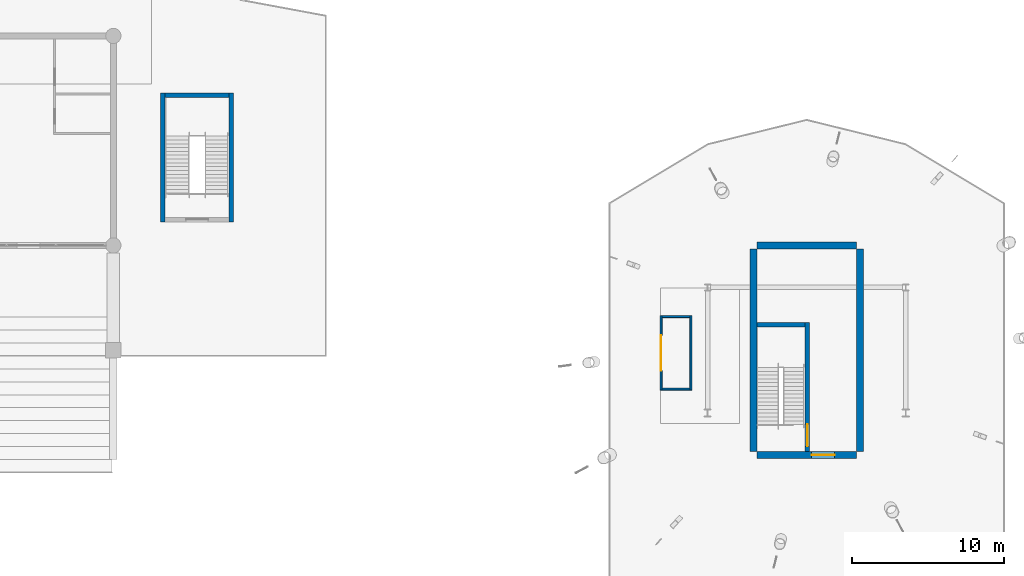
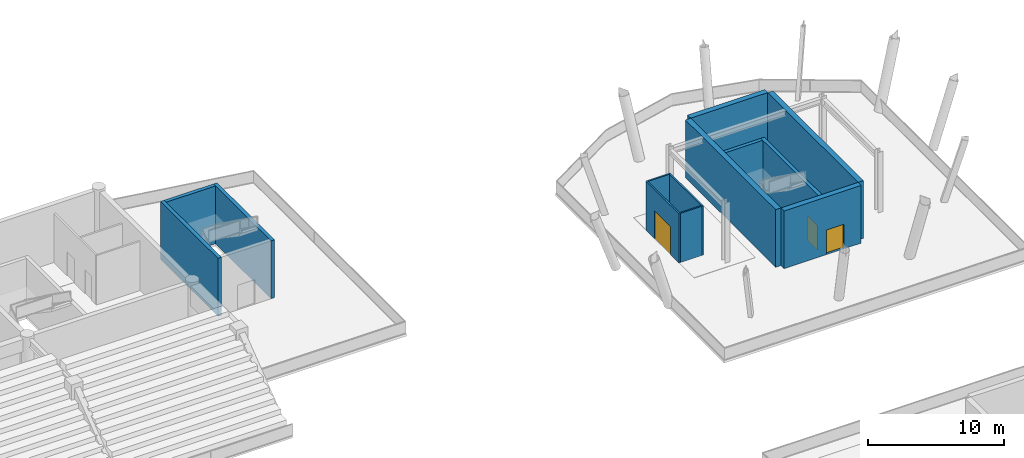
# One storey, part 99 of 117: 13 walls, 3 doors, 3 openings.
"""IFC4 building model written with IfcOpenShell, lengths in metres."""

import ifcopenshell
import ifcopenshell.guid

model = None  # the IFC model being written
_history = None  # IfcOwnerHistory: only IFC2X3 demands one
_inside = {}  # id of a spatial element -> (the spatial element, [elements in it])
_under = {}  # id of a project, library or spatial element -> (it, [spatial elements below it])
_declared = {}  # id of a project -> (the project, [libraries it declares])
_typed = {}  # id of a type object -> (the type object, [elements of that type])
_made_of = {}  # id of a material, layer set ... -> (it, [elements and type objects made of it])


def new_model(schema):
    """Start an empty IFC model of exactly this schema.

    Asked for "IFC4X3", IfcOpenShell would pick the latest addendum, in which some entities
    have other attributes; the version numbers below select the first issue.
    IFC2X3 requires an IfcOwnerHistory on every rooted entity: one is made here for all.
    """
    global model, _history
    if schema == "IFC4X3":
        model = ifcopenshell.file(schema_version=(4, 3, 0, 0))
    else:
        model = ifcopenshell.file(schema=schema)
    _inside.clear()
    _under.clear()
    _declared.clear()
    _typed.clear()
    _made_of.clear()
    _history = None
    if model.schema == "IFC2X3":
        org = make("IfcOrganization", Name="unknown")
        user = make(
            "IfcPersonAndOrganization",
            ThePerson=make("IfcPerson", FamilyName="unknown"),
            TheOrganization=org,
        )
        app = make(
            "IfcApplication",
            ApplicationDeveloper=org,
            Version="unknown",
            ApplicationFullName="unknown",
            ApplicationIdentifier="unknown",
        )
        _history = make(
            "IfcOwnerHistory",
            OwningUser=user,
            OwningApplication=app,
            ChangeAction="ADDED",
            CreationDate=0,
        )
    return model


def make(cls, **values):
    """One entity of the class cls with the attributes given. An attribute that is None is left unset."""
    return model.create_entity(
        cls, **{name: value for name, value in values.items() if value is not None}
    )


def rooted(cls, **values):
    """An entity with a GlobalId (a new one), such as an element, a storey or a relation."""
    return make(cls, GlobalId=ifcopenshell.guid.new(), OwnerHistory=_history, **values)


def si_unit(unit_type, name, prefix=None):
    """IfcSIUnit, for example si_unit("LENGTHUNIT", "METRE", prefix="MILLI")."""
    return make("IfcSIUnit", UnitType=unit_type, Prefix=prefix, Name=name)


def assignment(units):
    """IfcUnitAssignment: the units of a project."""
    return None if units is None else make("IfcUnitAssignment", Units=units)


def point(xyz):
    """IfcCartesianPoint."""
    return None if xyz is None else make("IfcCartesianPoint", Coordinates=xyz)


def direction(xyz):
    """IfcDirection."""
    return None if xyz is None else make("IfcDirection", DirectionRatios=xyz)


def frame(location, z_axis=None, x_axis=None):
    """IfcAxis2Placement3D, a coordinate frame: its origin and axes. An axis left out is left unset."""
    return make(
        "IfcAxis2Placement3D",
        Location=point(location),
        Axis=direction(z_axis),
        RefDirection=direction(x_axis),
    )


def frame_2d(location, x_axis=None):
    """IfcAxis2Placement2D, a coordinate frame in the plane: its origin and x axis."""
    return make(
        "IfcAxis2Placement2D", Location=point(location), RefDirection=direction(x_axis)
    )


def origin():
    """The frame at (0, 0, 0) with its axes left unset."""
    return frame((0.0, 0.0, 0.0))


def place(relative_to, where):
    """IfcLocalPlacement: puts the frame where relative to a parent placement (None: the world)."""
    return make(
        "IfcLocalPlacement", PlacementRelTo=relative_to, RelativePlacement=where
    )


def context(
    kind, dimensions, precision=None, world=None, true_north=None, identifier=None
):
    """IfcGeometricRepresentationContext, for example the 3D "Model" context."""
    return make(
        "IfcGeometricRepresentationContext",
        ContextIdentifier=identifier,
        ContextType=kind,
        CoordinateSpaceDimension=dimensions,
        Precision=precision,
        WorldCoordinateSystem=world,
        TrueNorth=true_north,
    )


def subcontext(parent, identifier, kind, view, scale=None):
    """IfcGeometricRepresentationSubContext, for example "Body" below "Model"."""
    return make(
        "IfcGeometricRepresentationSubContext",
        ContextIdentifier=identifier,
        ContextType=kind,
        ParentContext=parent,
        TargetScale=scale,
        TargetView=view,
    )


def project(units=None, contexts=None):
    """IfcProject with its units and contexts."""
    return rooted(
        "IfcProject",
        Name="project",
        RepresentationContexts=contexts,
        UnitsInContext=assignment(units),
    )


def spatial(cls, under=None, at=None, **own):
    """A site, building, storey or space (cls), placed at a placement, below another one or the project."""
    s = rooted(cls, ObjectPlacement=at, **own)
    if under is not None:
        _under.setdefault(under.id(), (under, []))[1].append(s)
    return s


def profile(cls, at=None, kind="AREA", **sizes):
    """A parametric profile (cls). Its sizes go by their IFC names, for example OverallWidth=200.0."""
    return make(cls, ProfileType=kind, Position=at, **sizes)


def rectangle(**sizes):
    """IfcRectangleProfileDef."""
    return profile("IfcRectangleProfileDef", **sizes)


def extrude(swept, where, along, depth):
    """IfcExtrudedAreaSolid: the profile swept, set in the frame where, extruded along a direction by depth."""
    return make(
        "IfcExtrudedAreaSolid",
        SweptArea=swept,
        Position=where,
        ExtrudedDirection=direction(along),
        Depth=depth,
    )


def shape(context_of_items, identifier, shape_type, items):
    """IfcShapeRepresentation: the items that make up one representation, for example the "Body"."""
    return make(
        "IfcShapeRepresentation",
        ContextOfItems=context_of_items,
        RepresentationIdentifier=identifier,
        RepresentationType=shape_type,
        Items=items,
    )


def material(Name=None, Category=None):
    """IfcMaterial."""
    return make("IfcMaterial", Name=Name, Category=Category)


def layer(
    of_material, thickness, ventilated=None, Name=None, Category=None, Priority=None
):
    """IfcMaterialLayer: one layer of a wall or slab, of a material (None: an air gap)."""
    return make(
        "IfcMaterialLayer",
        Material=of_material,
        LayerThickness=thickness,
        IsVentilated=ventilated,
        Name=Name,
        Category=Category,
        Priority=Priority,
    )


def layer_set(layers, Name=None):
    """IfcMaterialLayerSet."""
    return make("IfcMaterialLayerSet", MaterialLayers=layers, LayerSetName=Name)


def made_of(thing, what):
    """Note that an element or type object is made of a material, layer set ...; save() writes the relation."""
    if what is not None:
        _made_of.setdefault(what.id(), (what, []))[1].append(thing)
    return thing


def type_object(cls, material=None, **own):
    """A type object (cls), such as IfcWallType, which elements share."""
    return made_of(rooted(cls, **own), material)


def element(
    cls,
    number,
    at=None,
    inside=None,
    cuts=None,
    type_object=None,
    material=None,
    context=None,
    identifier="Body",
    shape_type=None,
    held_by="IfcProductDefinitionShape",
    body=None,
    shapes=None,
    **own,
):
    """One element of the class cls, such as IfcWall. Its Tag is "e" and its number.

    at: its placement. inside: the storey or other place that contains it. cuts: it is an
    opening in that element (IfcRelVoidsElement). A single representation is given by context,
    identifier, shape_type and body (its items); several are given by shapes. held_by: the class
    of the entity that holds the representations. save() writes the other relations.
    """
    e = rooted(cls, Tag="e%d" % number, ObjectPlacement=at, **own)
    if body is not None:
        shapes = [shape(context, identifier, shape_type, body)]
    if shapes is not None:
        e.Representation = make(held_by, Representations=shapes)
    if inside is not None:
        _inside.setdefault(inside.id(), (inside, []))[1].append(e)
    if cuts is not None:
        rooted(
            "IfcRelVoidsElement", RelatingBuildingElement=cuts, RelatedOpeningElement=e
        )
    if type_object is not None:
        _typed.setdefault(type_object.id(), (type_object, []))[1].append(e)
    return made_of(e, material)


def fill(opening, filler):
    """IfcRelFillsElement: the door or window that sits in an opening."""
    return rooted(
        "IfcRelFillsElement",
        RelatingOpeningElement=opening,
        RelatedBuildingElement=filler,
    )


def aggregate(whole, parts):
    """IfcRelAggregates: a whole, such as a stair, and the parts it consists of."""
    return rooted("IfcRelAggregates", RelatingObject=whole, RelatedObjects=parts)


def save(model, path):
    """Write the relations noted so far, then the file.

    IfcRelAggregates (storeys below a building ...), IfcRelContainedInSpatialStructure (elements
    in a storey), IfcRelDefinesByType, IfcRelAssociatesMaterial and IfcRelDeclares: one each for
    every whole, place, type object, material and project.
    """
    for whole, parts in _under.values():
        aggregate(whole, parts)
    for where, things in _inside.values():
        rooted(
            "IfcRelContainedInSpatialStructure",
            RelatedElements=things,
            RelatingStructure=where,
        )
    for kind, things in _typed.values():
        rooted("IfcRelDefinesByType", RelatedObjects=things, RelatingType=kind)
    for what, things in _made_of.values():
        rooted("IfcRelAssociatesMaterial", RelatedObjects=things, RelatingMaterial=what)
    for by, libraries in _declared.values():
        rooted("IfcRelDeclares", RelatingContext=by, RelatedDefinitions=libraries)
    model.write(path)


model = new_model("IFC4")

# Units and contexts
model_context = context("Model", 3, precision=1e-05, world=origin(), true_north=direction((0.0, 1.0)))
body_context = subcontext(model_context, "Body", "Model", "MODEL_VIEW")
ifc_project = project(units=[si_unit("LENGTHUNIT", "METRE"), si_unit("AREAUNIT", "SQUARE_METRE"), si_unit("VOLUMEUNIT", "CUBIC_METRE"), si_unit("PLANEANGLEUNIT", "RADIAN"), si_unit("MASSUNIT", "GRAM", prefix="KILO")], contexts=[model_context])

# Site, building, storey
site_placement = place(None, origin())
site = spatial("IfcSite", under=ifc_project, at=site_placement, CompositionType="ELEMENT")
building_placement = place(site_placement, origin())
building = spatial("IfcBuilding", under=site, at=building_placement, Name="Linyun Crest Stadium", CompositionType="ELEMENT")
storey_placement = place(building_placement, frame((0.0, 0.0, 6.0)))
storey = spatial("IfcBuildingStorey", under=building, at=storey_placement, Name="L02", CompositionType="ELEMENT", Elevation=6.0)

# Walls
ifc_material_1 = material(Name="Concrete C50", Category="concrete")
ifc_layer_1 = layer(ifc_material_1, 0.449951171875)
ifc_layer_set_1 = layer_set([ifc_layer_1], Name="Concrete C50")
wall_type_1 = type_object("IfcWallType", Name="CW03", PredefinedType="SHEAR", material=ifc_layer_set_1)
for number, where, z_axis, x_axis, name in (
    (1, (70.0, 77.97509765625, 0.0), (0.0, 0.0, 1.0), (0.0, 1.0, 0.0), "Core shear wall CW03 CORE-PNE L02.1"),
    (2, (77.0, 77.97509765625, 0.0), (0.0, 0.0, 1.0), (0.0, 1.0, 0.0), "Core shear wall CW03 CORE-PNE L02.2"),
):
    element("IfcWall", number, at=place(storey_placement, frame(where, z_axis=z_axis, x_axis=x_axis)), inside=storey, type_object=wall_type_1, Name=name, PredefinedType="SHEAR", context=body_context, shape_type="SweptSolid", body=[
        extrude(rectangle(XDim=13.2998046875, YDim=0.449951171875, at=frame_2d((6.64990234375, 0.0))), origin(), (0.0, 0.0, 1.0), 5.179931640625),
    ])

# Wall, opening, door
wall_1_placement = place(storey_placement, frame((70.22509765625, 77.75, 0.0), z_axis=(0.0, 0.0, 1.0), x_axis=(1.0, 0.0, 0.0)))
wall_1 = element("IfcWall", 3, at=wall_1_placement, inside=storey, type_object=wall_type_1, Name="Core shear wall CW03 CORE-PNE L02.3", PredefinedType="SHEAR", context=body_context, shape_type="SweptSolid", body=[
    extrude(rectangle(XDim=6.5498046875, YDim=0.449951171875, at=frame_2d((3.27490234375, 0.0))), origin(), (0.0, 0.0, 1.0), 5.179931640625),
])
opening_1_placement = place(wall_1_placement, frame((3.60302734375, 0.0, 0.0)))
opening_1 = element("IfcOpeningElement", 4, at=opening_1_placement, cuts=wall_1, Name="Opening D-L02-391", PredefinedType="OPENING", context=body_context, shape_type="SweptSolid", body=[
    extrude(rectangle(XDim=1.5, YDim=2.199951171875, at=frame_2d((0.75, 1.10009765625))), frame((0.0, 0.23486328125, 0.0), z_axis=(0.0, -1.0, 0.0), x_axis=(1.0, 0.0, 0.0)), (0.0, 0.0, 1.0), 0.469970703125),
])
ifc_material_2 = material(Name="Galvanized steel Class A fire door", Category="steel")
ifc_layer_2 = layer(ifc_material_2, 0.054931640625)
ifc_layer_set_2 = layer_set([ifc_layer_2], Name="Galvanized steel Class A fire door")
door_type_1 = type_object("IfcDoorType", Name="FD01", OperationType="NOTDEFINED", PredefinedType="DOOR", material=ifc_layer_set_2)
door_1_placement = place(opening_1_placement, origin())
door_1 = element("IfcDoor", 5, at=door_1_placement, inside=storey, type_object=door_type_1, Name="Door D-L02-391", OperationType="SINGLE_SWING_LEFT", OverallHeight=2.199951171875, OverallWidth=1.5, PredefinedType="DOOR", context=body_context, shape_type="SweptSolid", body=[
    extrude(rectangle(XDim=1.5, YDim=2.199951171875, at=frame_2d((0.75, 1.10009765625))), frame((0.0, 0.02490234375, 0.0), z_axis=(0.0, -1.0, 0.0), x_axis=(1.0, 0.0, 0.0)), (0.0, 0.0, 1.0), 0.050048828125),
])
fill(opening_1, door_1)

# Wall
wall_2_placement = place(storey_placement, frame((70.22509765625, 91.5, 0.0), z_axis=(0.0, 0.0, 1.0), x_axis=(1.0, 0.0, 0.0)))
element("IfcWall", 6, at=wall_2_placement, inside=storey, type_object=wall_type_1, Name="Core shear wall CW03 CORE-PNE L02.4", PredefinedType="SHEAR", context=body_context, shape_type="SweptSolid", body=[
    extrude(rectangle(XDim=6.5498046875, YDim=0.449951171875, at=frame_2d((3.27490234375, 0.0))), origin(), (0.0, 0.0, 1.0), 5.179931640625),
])

# Wall, opening, door
ifc_material_3 = material(Name="Acoustic commentary booth partition")
ifc_layer_3 = layer(ifc_material_3, 0.1298828125)
ifc_layer_set_3 = layer_set([ifc_layer_3], Name="Acoustic commentary booth partition")
wall_type_2 = type_object("IfcWallType", Name="PW22", PredefinedType="PARTITIONING", material=ifc_layer_set_3)
wall_3_placement = place(storey_placement, frame((63.947021484375, 82.0009765625, 0.0), z_axis=(0.0, 0.0, 1.0), x_axis=(0.0, 1.0, 0.0)))
wall_3 = element("IfcWall", 7, at=wall_3_placement, inside=storey, type_object=wall_type_2, Name="Partition PW22 L02 270", PredefinedType="PARTITIONING", context=body_context, shape_type="SweptSolid", body=[
    extrude(rectangle(XDim=4.89013671875, YDim=0.1298828125, at=frame_2d((2.445068359375, 0.0))), origin(), (0.0, 0.0, 1.0), 4.419921875),
])
opening_2_placement = place(wall_3_placement, frame((1.27001953125, 0.0, 0.0)))
opening_2 = element("IfcOpeningElement", 8, at=opening_2_placement, cuts=wall_3, Name="Opening D-L02-533", PredefinedType="OPENING", context=body_context, shape_type="SweptSolid", body=[
    extrude(rectangle(XDim=2.35009765625, YDim=2.5, at=frame_2d((1.175048828125, 1.25))), frame((0.0, 0.074951171875, 0.0), z_axis=(0.0, -1.0, 0.0), x_axis=(1.0, 0.0, 0.0)), (0.0, 0.0, 1.0), 0.14990234375),
])
ifc_material_4 = material(Name="Wide impact-resistant double leaf")
ifc_layer_4 = layer(ifc_material_4, 0.054931640625)
ifc_layer_set_4 = layer_set([ifc_layer_4], Name="Wide impact-resistant double leaf")
door_type_2 = type_object("IfcDoorType", Name="ID14", OperationType="NOTDEFINED", PredefinedType="DOOR", material=ifc_layer_set_4)
door_2_placement = place(opening_2_placement, origin())
door_2 = element("IfcDoor", 9, at=door_2_placement, inside=storey, type_object=door_type_2, Name="Door D-L02-533", OperationType="DOUBLE_DOOR_SINGLE_SWING", OverallHeight=2.5, OverallWidth=2.35009765625, PredefinedType="DOOR", context=body_context, shape_type="SweptSolid", body=[
    extrude(rectangle(XDim=2.35009765625, YDim=2.5, at=frame_2d((1.175048828125, 1.25))), frame((0.0, 0.02490234375, 0.0), z_axis=(0.0, -1.0, 0.0), x_axis=(1.0, 0.0, 0.0)), (0.0, 0.0, 1.0), 0.050048828125),
])
fill(opening_2, door_2)

# Walls
wall_4_placement = place(storey_placement, frame((65.89697265625, 82.0009765625, 0.0), z_axis=(0.0, 0.0, 1.0), x_axis=(0.0, 1.0, 0.0)))
element("IfcWall", 10, at=wall_4_placement, inside=storey, type_object=wall_type_2, Name="Enclosure partition PW22 L02 526", PredefinedType="PARTITIONING", context=body_context, shape_type="SweptSolid", body=[
    extrude(rectangle(XDim=4.89013671875, YDim=0.1298828125, at=frame_2d((2.445068359375, 0.0))), origin(), (0.0, 0.0, 1.0), 4.419921875),
])
for number, where, z_axis, x_axis, name in (
    (11, (64.011962890625, 82.06591796875, 0.0), (0.0, 0.0, 1.0), (1.0, 0.0, 0.0), "Enclosure partition PW22 L02 527"),
    (12, (64.011962890625, 86.825927734375, 0.0), (0.0, 0.0, 1.0), (1.0, 0.0, 0.0), "Enclosure partition PW22 L02 528"),
):
    element("IfcWall", number, at=place(storey_placement, frame(where, z_axis=z_axis, x_axis=x_axis)), inside=storey, type_object=wall_type_2, Name=name, PredefinedType="PARTITIONING", context=body_context, shape_type="SweptSolid", body=[
        extrude(rectangle(XDim=1.820068359375, YDim=0.1298828125, at=frame_2d((0.91015625, 0.0))), origin(), (0.0, 0.0, 1.0), 4.419921875),
    ])

# Wall, opening, door
ifc_material_5 = material(Name="Concrete C50", Category="concrete")
ifc_layer_5 = layer(ifc_material_5, 0.300048828125)
ifc_layer_set_5 = layer_set([ifc_layer_5], Name="Concrete C50")
wall_type_3 = type_object("IfcWallType", Name="SW01", PredefinedType="SHEAR", material=ifc_layer_set_5)
wall_5_placement = place(storey_placement, frame((73.550048828125, 77.97509765625, 0.0), z_axis=(0.0, 0.0, 1.0), x_axis=(0.0, 1.0, 0.0)))
wall_5 = element("IfcWall", 13, at=wall_5_placement, inside=storey, type_object=wall_type_3, Name="Core stair east bearing wall SW01 12 L02", PredefinedType="SHEAR", context=body_context, shape_type="SweptSolid", body=[
    extrude(rectangle(XDim=8.474853515625, YDim=0.300048828125, at=frame_2d((4.2373046875, 0.0))), origin(), (0.0, 0.0, 1.0), 5.179931640625),
])
opening_3_placement = place(wall_5_placement, frame((0.344970703125, 0.0, 0.0)))
opening_3 = element("IfcOpeningElement", 14, at=opening_3_placement, cuts=wall_5, Name="Opening D-L02-392", PredefinedType="OPENING", context=body_context, shape_type="SweptSolid", body=[
    extrude(rectangle(XDim=1.449951171875, YDim=2.199951171875, at=frame_2d((0.72509765625, 1.10009765625))), frame((0.0, 0.159912109375, 0.0), z_axis=(0.0, -1.0, 0.0), x_axis=(1.0, 0.0, 0.0)), (0.0, 0.0, 1.0), 0.320068359375),
])
ifc_material_6 = material(Name="Galvanized steel Class A fire door", Category="steel")
ifc_layer_6 = layer(ifc_material_6, 0.054931640625)
ifc_layer_set_6 = layer_set([ifc_layer_6], Name="Galvanized steel Class A fire door")
door_type_3 = type_object("IfcDoorType", Name="FD02", OperationType="NOTDEFINED", PredefinedType="DOOR", material=ifc_layer_set_6)
door_3_placement = place(opening_3_placement, origin())
door_3 = element("IfcDoor", 15, at=door_3_placement, inside=storey, type_object=door_type_3, Name="Door D-L02-392", OperationType="SINGLE_SWING_RIGHT", OverallHeight=2.199951171875, OverallWidth=1.449951171875, PredefinedType="DOOR", context=body_context, shape_type="SweptSolid", body=[
    extrude(rectangle(XDim=1.449951171875, YDim=2.199951171875, at=frame_2d((0.72509765625, 1.10009765625))), frame((0.0, 0.02490234375, 0.0), z_axis=(0.0, -1.0, 0.0), x_axis=(1.0, 0.0, 0.0)), (0.0, 0.0, 1.0), 0.050048828125),
])
fill(opening_3, door_3)

# Walls
wall_6_placement = place(storey_placement, frame((70.22509765625, 86.300048828125, 0.0), z_axis=(0.0, 0.0, 1.0), x_axis=(1.0, 0.0, 0.0)))
element("IfcWall", 16, at=wall_6_placement, inside=storey, type_object=wall_type_3, Name="Core stair bearing wall SW01 12 L02", PredefinedType="SHEAR", context=body_context, shape_type="SweptSolid", body=[
    extrude(rectangle(XDim=3.1748046875, YDim=0.300048828125, at=frame_2d((1.58740234375, 0.0))), origin(), (0.0, 0.0, 1.0), 5.179931640625),
])
wall_7_placement = place(storey_placement, frame((31.39990234375, 101.35009765625, 0.0), z_axis=(0.0, 0.0, 1.0), x_axis=(1.0, 0.0, 0.0)))
element("IfcWall", 17, at=wall_7_placement, inside=storey, type_object=wall_type_3, Name="Stair shaft wall SW01 STR-26 L02 N", PredefinedType="SHEAR", context=body_context, shape_type="SweptSolid", body=[
    extrude(rectangle(XDim=4.2001953125, YDim=0.300048828125, at=frame_2d((2.10009765625, 0.0))), origin(), (0.0, 0.0, 1.0), 5.199951171875),
])
for number, where, z_axis, x_axis, name in (
    (18, (31.25, 93.050048828125, 0.0), (0.0, 0.0, 1.0), (0.0, 1.0, 0.0), "Stair shaft wall SW01 STR-26 L02 W"),
    (19, (35.75, 93.050048828125, 0.0), (0.0, 0.0, 1.0), (0.0, 1.0, 0.0), "Stair shaft wall SW01 STR-26 L02 E"),
):
    element("IfcWall", number, at=place(storey_placement, frame(where, z_axis=z_axis, x_axis=x_axis)), inside=storey, type_object=wall_type_3, Name=name, PredefinedType="SHEAR", context=body_context, shape_type="SweptSolid", body=[
        extrude(rectangle(XDim=8.449951171875, YDim=0.300048828125, at=frame_2d((4.22509765625, 0.0))), origin(), (0.0, 0.0, 1.0), 5.199951171875),
    ])

save(model, "model.ifc")
